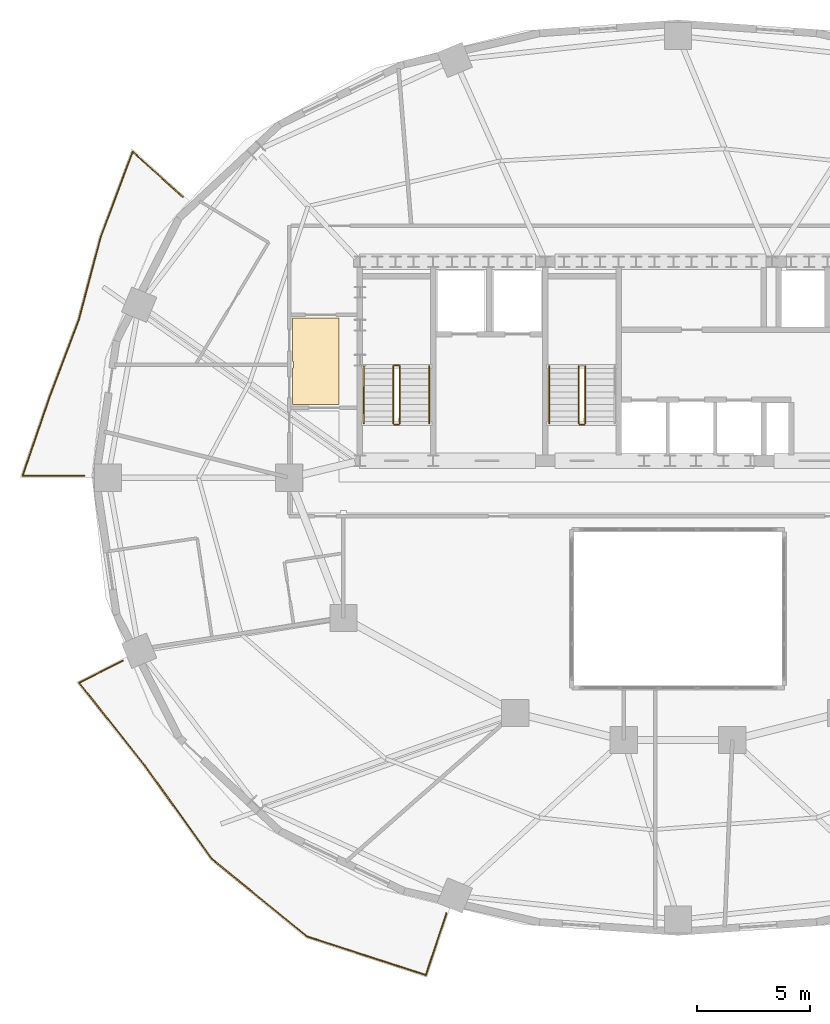
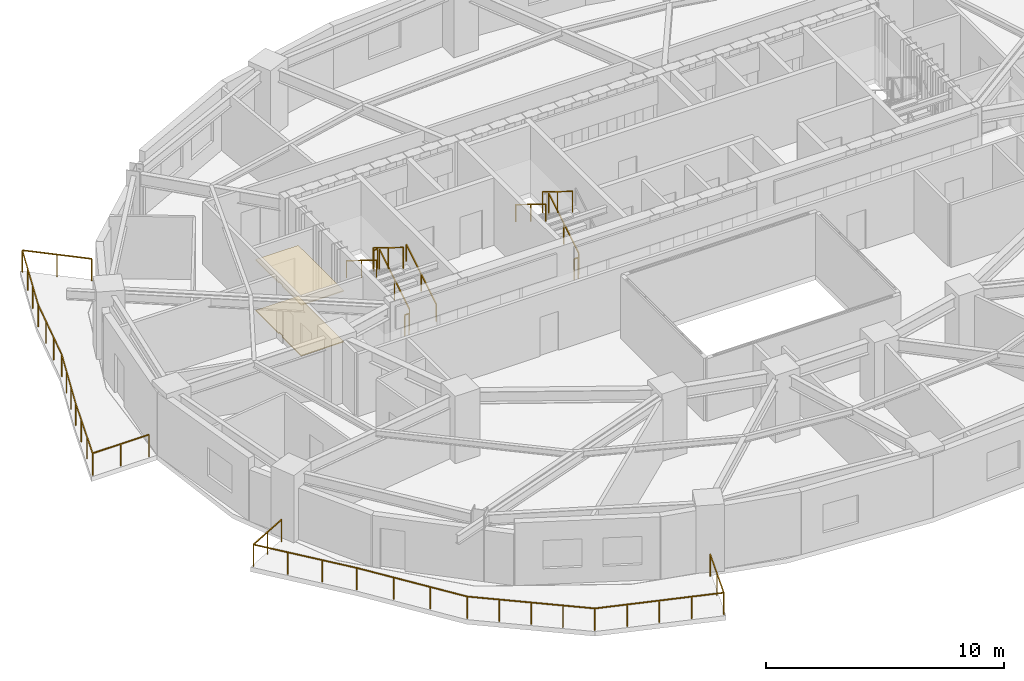
# One storey, part 10 of 12: 12 railings, 2 coverings.
"""IFC4 building model written with IfcOpenShell, lengths in metres."""

from ifc_helpers import new_model, si_unit, direction, frame, origin, origin_2d, place, context, subcontext, project, spatial, polyline, rectangle, outline, extrude, material, layer, layer_set, type_object, element, save


model = new_model("IFC4")

# Units and contexts
model_context = context("Model", 3, precision=1e-05, world=origin(), true_north=direction((0.0, 1.0)))
body_context = subcontext(model_context, "Body", "Model", "MODEL_VIEW")
ifc_project = project(units=[si_unit("LENGTHUNIT", "METRE"), si_unit("AREAUNIT", "SQUARE_METRE"), si_unit("VOLUMEUNIT", "CUBIC_METRE"), si_unit("PLANEANGLEUNIT", "RADIAN"), si_unit("MASSUNIT", "GRAM", prefix="KILO")], contexts=[model_context])

# Site, building, storey
site_placement = place(None, origin())
site = spatial("IfcSite", under=ifc_project, at=site_placement, CompositionType="ELEMENT")
building_placement = place(site_placement, origin())
building = spatial("IfcBuilding", under=site, at=building_placement, Name="Haldorwick Loom Tower", CompositionType="ELEMENT")
storey_placement = place(building_placement, frame((0.0, 0.0, 161.35009765625)))
storey = spatial("IfcBuildingStorey", under=building, at=storey_placement, Name="L43", CompositionType="ELEMENT", Elevation=161.35009765625)

# Coverings
ifc_material_1 = material(Name="Mineral Fibre Acoustic Ceiling Tile")
ifc_layer_1 = layer(ifc_material_1, 0.054931640625, Name="Mineral Fibre Acoustic Ceiling Tile")
ifc_layer_set_1 = layer_set([ifc_layer_1], Name="Mineral Fibre Acoustic Ceiling Tile")
covering_type_1 = type_object("IfcCoveringType", Name="ARC-COV-CEIL2", PredefinedType="CEILING", material=ifc_layer_set_1)
covering_1_placement = place(storey_placement, frame((0.0, 0.0, 2.594970703125)))
element("IfcCovering", 1, at=covering_1_placement, inside=storey, type_object=covering_type_1, Name="L43 Acoustic Suspended Ceiling 2", PredefinedType="CEILING", context=body_context, shape_type="SweptSolid", body=[
    extrude(outline(polyline([(18.969970703125, 31.139892578125), (18.971923828125, 31.139892578125), (18.973876953125, 31.1396484375), (18.975830078125, 31.13916015625), (18.977783203125, 31.138427734375), (18.9794921875, 31.1376953125), (18.981201171875, 31.13671875), (18.982666015625, 31.135498046875), (18.984130859375, 31.134033203125), (18.985595703125, 31.1328125), (18.986572265625, 31.131103515625), (18.987548828125, 31.12939453125), (18.988525390625, 31.127685546875), (18.989013671875, 31.125732421875), (18.989501953125, 31.123779296875), (18.989990234375, 31.1220703125), (18.989990234375, 31.1201171875), (18.989990234375, 30.8798828125), (18.989990234375, 30.8779296875), (18.989501953125, 30.876220703125), (18.989013671875, 30.874267578125), (18.988525390625, 30.872314453125), (18.987548828125, 30.87060546875), (18.986572265625, 30.868896484375), (18.985595703125, 30.8671875), (18.984130859375, 30.865966796875), (18.982666015625, 30.864501953125), (18.981201171875, 30.86328125), (18.9794921875, 30.8623046875), (18.977783203125, 30.861572265625), (18.975830078125, 30.86083984375), (18.973876953125, 30.8603515625), (18.971923828125, 30.860107421875), (18.969970703125, 30.860107421875), (18.93994140625, 30.860107421875), (18.93994140625, 29.239990234375), (21.0, 29.239990234375), (21.0, 33.06005859375), (18.93994140625, 33.06005859375), (18.93994140625, 31.139892578125), (18.969970703125, 31.139892578125)])), origin(), (0.0, 0.0, 1.0), 0.054931640625),
])
ifc_material_2 = material(Name="Polished Aggregate Terrazzo Finish")
ifc_layer_2 = layer(ifc_material_2, 0.044921875, Name="Polished Aggregate Terrazzo Finish")
ifc_layer_set_2 = layer_set([ifc_layer_2], Name="Polished Aggregate Terrazzo Finish")
covering_type_2 = type_object("IfcCoveringType", Name="ARC-COV-FLOOR2", PredefinedType="FLOORING", material=ifc_layer_set_2)
covering_2_placement = place(storey_placement, origin())
element("IfcCovering", 2, at=covering_2_placement, inside=storey, type_object=covering_type_2, Name="L43 Floor Finish 2", PredefinedType="FLOORING", context=body_context, shape_type="SweptSolid", body=[
    extrude(outline(polyline([(18.969970703125, 31.139892578125), (18.971923828125, 31.139892578125), (18.973876953125, 31.1396484375), (18.975830078125, 31.13916015625), (18.977783203125, 31.138427734375), (18.9794921875, 31.1376953125), (18.981201171875, 31.13671875), (18.982666015625, 31.135498046875), (18.984130859375, 31.134033203125), (18.985595703125, 31.1328125), (18.986572265625, 31.131103515625), (18.987548828125, 31.12939453125), (18.988525390625, 31.127685546875), (18.989013671875, 31.125732421875), (18.989501953125, 31.123779296875), (18.989990234375, 31.1220703125), (18.989990234375, 31.1201171875), (18.989990234375, 30.8798828125), (18.989990234375, 30.8779296875), (18.989501953125, 30.876220703125), (18.989013671875, 30.874267578125), (18.988525390625, 30.872314453125), (18.987548828125, 30.87060546875), (18.986572265625, 30.868896484375), (18.985595703125, 30.8671875), (18.984130859375, 30.865966796875), (18.982666015625, 30.864501953125), (18.981201171875, 30.86328125), (18.9794921875, 30.8623046875), (18.977783203125, 30.861572265625), (18.975830078125, 30.86083984375), (18.973876953125, 30.8603515625), (18.971923828125, 30.860107421875), (18.969970703125, 30.860107421875), (18.93994140625, 30.860107421875), (18.93994140625, 29.239990234375), (21.0, 29.239990234375), (21.0, 33.06005859375), (18.93994140625, 33.06005859375), (18.93994140625, 31.139892578125), (18.969970703125, 31.139892578125)])), origin(), (0.0, 0.0, 1.0), 0.044921875),
])

# Railings
ifc_material_3 = material(Name="Galvanized Steel CSA G40.21 350W", Category="steel")
railing_type_1 = type_object("IfcRailingType", Name="ARC-RLG-BAL115", PredefinedType="BALUSTRADE", material=ifc_material_3)
railing_1_placement = place(storey_placement, frame((25.756591796875, 6.728515625, 0.0)))
element("IfcRailing", 3, at=railing_1_placement, inside=storey, type_object=railing_type_1, Name="L43 Outdoor Terrace Guardrail SLB-L43-BAL_SW-1", PredefinedType="BALUSTRADE", context=body_context, shape_type="SweptSolid", body=[
    extrude(rectangle(XDim=0.048095703125, YDim=0.048095703125, at=origin_2d()), frame((0.0, 0.0, 1.1259765625), z_axis=(-0.316839129374, -0.948479291338, 0.0), x_axis=(0.948479291338, -0.316839129374, 0.0)), (0.0, 0.0, 1.0), 2.875),
    extrude(rectangle(XDim=0.048095703125, YDim=0.048095703125, at=origin_2d()), frame((-0.910888671875, -2.726806640625, 1.1259765625), z_axis=(-0.951073621426, 0.308964345236, 0.0), x_axis=(-0.308964345236, -0.951073621426, 0.0)), (0.0, 0.0, 1.0), 5.532958984375),
    extrude(rectangle(XDim=0.048095703125, YDim=0.048095703125, at=origin_2d()), frame((-6.173095703125, -1.017333984375, 1.1259765625), z_axis=(-0.774794820107, 0.632212770145, 0.0), x_axis=(-0.632212770145, -0.774794820107, 0.0)), (0.0, 0.0, 1.0), 5.424560546875),
    extrude(rectangle(XDim=0.048095703125, YDim=0.048095703125, at=origin_2d()), frame((-10.3759765625, 2.412109375, 1.1259765625), z_axis=(-0.583373132525, 0.812204277413, 0.0), x_axis=(-0.812204277413, -0.583373132525, 0.0)), (0.0, 0.0, 1.0), 5.090087890625),
    extrude(rectangle(XDim=0.048095703125, YDim=0.048095703125, at=origin_2d()), frame((-13.345458984375, 6.54638671875, 1.1259765625), z_axis=(-0.60971076085, 0.792623989105, 0.0), x_axis=(-0.792623989105, -0.60971076085, 0.0)), (0.0, 0.0, 1.0), 0.00390625),
    extrude(rectangle(XDim=0.048095703125, YDim=0.048095703125, at=origin_2d()), frame((-13.347900390625, 6.549560546875, 1.1259765625), z_axis=(-0.621986182745, 0.783028216908, 0.0), x_axis=(-0.783028216908, -0.621986182745, 0.0)), (0.0, 0.0, 1.0), 4.65576171875),
    extrude(rectangle(XDim=0.048095703125, YDim=0.048095703125, at=origin_2d()), frame((-16.24365234375, 10.195068359375, 1.1259765625), z_axis=(0.890002219109, 0.45595619305, 0.0), x_axis=(-0.45595619305, 0.890002219109, 0.0)), (0.0, 0.0, 1.0), 2.1728515625),
    extrude(rectangle(XDim=0.0419921875, YDim=0.0419921875, at=origin_2d()), origin(), (0.0, 0.0, 1.0), 1.101806640625),
    extrude(rectangle(XDim=0.0419921875, YDim=0.0419921875, at=origin_2d()), frame((-0.45556640625, -1.36328125, 0.0)), (0.0, 0.0, 1.0), 1.101806640625),
    extrude(rectangle(XDim=0.0419921875, YDim=0.0419921875, at=origin_2d()), frame((-0.910888671875, -2.726806640625, 0.0)), (0.0, 0.0, 1.0), 1.101806640625),
    extrude(rectangle(XDim=0.0419921875, YDim=0.0419921875, at=origin_2d()), frame((-2.2265625, -2.29931640625, 0.0)), (0.0, 0.0, 1.0), 1.101806640625),
    extrude(rectangle(XDim=0.0419921875, YDim=0.0419921875, at=origin_2d()), frame((-3.5419921875, -1.8720703125, 0.0)), (0.0, 0.0, 1.0), 1.101806640625),
    extrude(rectangle(XDim=0.0419921875, YDim=0.0419921875, at=origin_2d()), frame((-4.857421875, -1.44482421875, 0.0)), (0.0, 0.0, 1.0), 1.101806640625),
    extrude(rectangle(XDim=0.0419921875, YDim=0.0419921875, at=origin_2d()), frame((-6.173095703125, -1.017333984375, 0.0)), (0.0, 0.0, 1.0), 1.101806640625),
    extrude(rectangle(XDim=0.0419921875, YDim=0.0419921875, at=origin_2d()), frame((-7.223876953125, -0.159912109375, 0.0)), (0.0, 0.0, 1.0), 1.101806640625),
    extrude(rectangle(XDim=0.0419921875, YDim=0.0419921875, at=origin_2d()), frame((-8.2744140625, 0.697265625, 0.0)), (0.0, 0.0, 1.0), 1.101806640625),
    extrude(rectangle(XDim=0.0419921875, YDim=0.0419921875, at=origin_2d()), frame((-9.3251953125, 1.5546875, 0.0)), (0.0, 0.0, 1.0), 1.101806640625),
    extrude(rectangle(XDim=0.0419921875, YDim=0.0419921875, at=origin_2d()), frame((-10.3759765625, 2.412109375, 0.0)), (0.0, 0.0, 1.0), 1.101806640625),
    extrude(rectangle(XDim=0.0419921875, YDim=0.0419921875, at=origin_2d()), frame((-11.36572265625, 3.790283203125, 0.0)), (0.0, 0.0, 1.0), 1.101806640625),
    extrude(rectangle(XDim=0.0419921875, YDim=0.0419921875, at=origin_2d()), frame((-12.355712890625, 5.168212890625, 0.0)), (0.0, 0.0, 1.0), 1.101806640625),
    extrude(rectangle(XDim=0.0419921875, YDim=0.0419921875, at=origin_2d()), frame((-13.345458984375, 6.54638671875, 0.0)), (0.0, 0.0, 1.0), 1.101806640625),
    extrude(rectangle(XDim=0.0419921875, YDim=0.0419921875, at=origin_2d()), frame((-14.313232421875, 7.7646484375, 0.0)), (0.0, 0.0, 1.0), 1.101806640625),
    extrude(rectangle(XDim=0.0419921875, YDim=0.0419921875, at=origin_2d()), frame((-15.2783203125, 8.97998046875, 0.0)), (0.0, 0.0, 1.0), 1.101806640625),
    extrude(rectangle(XDim=0.0419921875, YDim=0.0419921875, at=origin_2d()), frame((-16.24365234375, 10.195068359375, 0.0)), (0.0, 0.0, 1.0), 1.101806640625),
    extrude(rectangle(XDim=0.0419921875, YDim=0.0419921875, at=origin_2d()), frame((-15.27685546875, 10.6904296875, 0.0)), (0.0, 0.0, 1.0), 1.101806640625),
    extrude(rectangle(XDim=0.0419921875, YDim=0.0419921875, at=origin_2d()), frame((-14.309814453125, 11.185791015625, 0.0)), (0.0, 0.0, 1.0), 1.101806640625),
])
railing_2_placement = place(storey_placement, frame((9.73974609375, 26.080078125, 0.0)))
element("IfcRailing", 4, at=railing_2_placement, inside=storey, type_object=railing_type_1, Name="L43 Outdoor Terrace Guardrail SLB-L43-BAL_WNW-1", PredefinedType="BALUSTRADE", context=body_context, shape_type="SweptSolid", body=[
    extrude(rectangle(XDim=0.048095703125, YDim=0.048095703125, at=origin_2d()), frame((0.0, 0.0, 1.1259765625), z_axis=(-1.0, 0.0, 0.0), x_axis=(0.0, -1.0, 0.0)), (0.0, 0.0, 1.0), 2.733154296875),
    extrude(rectangle(XDim=0.048095703125, YDim=0.048095703125, at=origin_2d()), frame((-2.733154296875, 0.0, 1.1259765625), z_axis=(0.324877543995, 0.945756089807, 0.0), x_axis=(-0.945756089807, 0.324877543995, 0.0)), (0.0, 0.0, 1.0), 3.711669921875),
    extrude(rectangle(XDim=0.048095703125, YDim=0.048095703125, at=origin_2d()), frame((-1.52734375, 3.51025390625, 1.1259765625), z_axis=(0.354053402924, 0.935225207037, 0.0), x_axis=(-0.935225207037, 0.354053402924, 0.0)), (0.0, 0.0, 1.0), 3.614013671875),
    extrude(rectangle(XDim=0.048095703125, YDim=0.048095703125, at=origin_2d()), frame((-0.247802734375, 6.89013671875, 1.1259765625), z_axis=(0.307002779923, 0.951708617761, 0.0), x_axis=(-0.951708617761, 0.307002779923, 0.0)), (0.0, 0.0, 1.0), 0.008056640625),
    extrude(rectangle(XDim=0.048095703125, YDim=0.048095703125, at=origin_2d()), frame((-0.245361328125, 6.897705078125, 1.1259765625), z_axis=(0.255651532223, 0.966768997265, 0.0), x_axis=(-0.966768997265, 0.255651532223, 0.0)), (0.0, 0.0, 1.0), 3.786376953125),
    extrude(rectangle(XDim=0.048095703125, YDim=0.048095703125, at=origin_2d()), frame((0.72265625, 10.558349609375, 1.1259765625), z_axis=(0.350917888404, 0.93640623428, 0.0), x_axis=(-0.93640623428, 0.350917888404, 0.0)), (0.0, 0.0, 1.0), 4.03515625),
    extrude(rectangle(XDim=0.048095703125, YDim=0.048095703125, at=origin_2d()), frame((2.138671875, 14.3369140625, 1.1259765625), z_axis=(0.741694932885, -0.670737375232, 0.0), x_axis=(0.670737375232, 0.741694932885, 0.0)), (0.0, 0.0, 1.0), 2.9794921875),
    extrude(rectangle(XDim=0.0419921875, YDim=0.0419921875, at=origin_2d()), origin(), (0.0, 0.0, 1.0), 1.101806640625),
    extrude(rectangle(XDim=0.0419921875, YDim=0.0419921875, at=origin_2d()), frame((-1.36669921875, 0.0, 0.0)), (0.0, 0.0, 1.0), 1.101806640625),
    extrude(rectangle(XDim=0.0419921875, YDim=0.0419921875, at=origin_2d()), frame((-2.733154296875, 0.0, 0.0)), (0.0, 0.0, 1.0), 1.101806640625),
    extrude(rectangle(XDim=0.0419921875, YDim=0.0419921875, at=origin_2d()), frame((-2.331298828125, 1.170166015625, 0.0)), (0.0, 0.0, 1.0), 1.101806640625),
    extrude(rectangle(XDim=0.0419921875, YDim=0.0419921875, at=origin_2d()), frame((-1.92919921875, 2.340087890625, 0.0)), (0.0, 0.0, 1.0), 1.101806640625),
    extrude(rectangle(XDim=0.0419921875, YDim=0.0419921875, at=origin_2d()), frame((-1.52734375, 3.51025390625, 0.0)), (0.0, 0.0, 1.0), 1.101806640625),
    extrude(rectangle(XDim=0.0419921875, YDim=0.0419921875, at=origin_2d()), frame((-1.100830078125, 4.636962890625, 0.0)), (0.0, 0.0, 1.0), 1.101806640625),
    extrude(rectangle(XDim=0.0419921875, YDim=0.0419921875, at=origin_2d()), frame((-0.67431640625, 5.763427734375, 0.0)), (0.0, 0.0, 1.0), 1.101806640625),
    extrude(rectangle(XDim=0.0419921875, YDim=0.0419921875, at=origin_2d()), frame((-0.247802734375, 6.89013671875, 0.0)), (0.0, 0.0, 1.0), 1.101806640625),
    extrude(rectangle(XDim=0.0419921875, YDim=0.0419921875, at=origin_2d()), frame((0.077392578125, 8.117919921875, 0.0)), (0.0, 0.0, 1.0), 1.101806640625),
    extrude(rectangle(XDim=0.0419921875, YDim=0.0419921875, at=origin_2d()), frame((0.39990234375, 9.338134765625, 0.0)), (0.0, 0.0, 1.0), 1.101806640625),
    extrude(rectangle(XDim=0.0419921875, YDim=0.0419921875, at=origin_2d()), frame((0.72265625, 10.558349609375, 0.0)), (0.0, 0.0, 1.0), 1.101806640625),
    extrude(rectangle(XDim=0.0419921875, YDim=0.0419921875, at=origin_2d()), frame((1.194580078125, 11.81787109375, 0.0)), (0.0, 0.0, 1.0), 1.101806640625),
    extrude(rectangle(XDim=0.0419921875, YDim=0.0419921875, at=origin_2d()), frame((1.666748046875, 13.077392578125, 0.0)), (0.0, 0.0, 1.0), 1.101806640625),
    extrude(rectangle(XDim=0.0419921875, YDim=0.0419921875, at=origin_2d()), frame((2.138671875, 14.3369140625, 0.0)), (0.0, 0.0, 1.0), 1.101806640625),
    extrude(rectangle(XDim=0.0419921875, YDim=0.0419921875, at=origin_2d()), frame((3.24365234375, 13.337646484375, 0.0)), (0.0, 0.0, 1.0), 1.101806640625),
    extrude(rectangle(XDim=0.0419921875, YDim=0.0419921875, at=origin_2d()), frame((4.3486328125, 12.33837890625, 0.0)), (0.0, 0.0, 1.0), 1.101806640625),
])
ifc_material_4 = material(Name="Steel CSA G40.21 350W", Category="steel")
railing_type_2 = type_object("IfcRailingType", Name="ARC-RLG-GUARD112", PredefinedType="GUARDRAIL", material=ifc_material_4)
railing_3_placement = place(storey_placement, frame((23.699951171875, 28.39990234375, 0.17236328125)))
element("IfcRailing", 5, at=railing_3_placement, inside=storey, type_object=railing_type_2, Name="L43 ST-01 stair guard 1", PredefinedType="GUARDRAIL", context=body_context, shape_type="SweptSolid", body=[
    extrude(rectangle(XDim=0.048095703125, YDim=0.048095703125, at=origin_2d()), frame((0.0, 0.0, 1.076171875), z_axis=(0.0, 0.851400495292, 0.524516154772), x_axis=(-1.0, 0.0, 0.0)), (0.0, 0.0, 1.0), 2.9599609375),
    extrude(rectangle(XDim=0.0419921875, YDim=0.0419921875, at=origin_2d()), origin(), (0.0, 0.0, 1.0), 1.052001953125),
    extrude(rectangle(XDim=0.0419921875, YDim=0.0419921875, at=origin_2d()), frame((0.0, 1.260009765625, 0.7763671875)), (0.0, 0.0, 1.0), 1.052001953125),
    extrude(rectangle(XDim=0.0419921875, YDim=0.0419921875, at=origin_2d()), frame((0.0, 2.52001953125, 1.552490234375)), (0.0, 0.0, 1.0), 1.052001953125),
])
railing_4_placement = place(storey_placement, frame((23.64990234375, 30.969970703125, 1.724853515625)))
element("IfcRailing", 6, at=railing_4_placement, inside=storey, type_object=railing_type_2, Name="L43 ST-01 stair guard 2", PredefinedType="GUARDRAIL", context=body_context, shape_type="SweptSolid", body=[
    extrude(rectangle(XDim=0.048095703125, YDim=0.048095703125, at=origin_2d()), frame((0.0, 0.0, 1.076171875), z_axis=(-1.0, 0.0, 0.0), x_axis=(0.0, -1.0, 0.0)), (0.0, 0.0, 1.0), 0.199951171875),
    extrude(rectangle(XDim=0.0419921875, YDim=0.0419921875, at=origin_2d()), origin(), (0.0, 0.0, 1.0), 1.052001953125),
    extrude(rectangle(XDim=0.0419921875, YDim=0.0419921875, at=origin_2d()), frame((-0.199951171875, 0.0, 0.0)), (0.0, 0.0, 1.0), 1.052001953125),
])
railing_5_placement = place(storey_placement, frame((23.39990234375, 30.919921875, 1.8974609375)))
element("IfcRailing", 7, at=railing_5_placement, inside=storey, type_object=railing_type_2, Name="L43 ST-01 stair guard 3", PredefinedType="GUARDRAIL", context=body_context, shape_type="SweptSolid", body=[
    extrude(rectangle(XDim=0.048095703125, YDim=0.048095703125, at=origin_2d()), frame((0.0, 0.0, 1.076171875), z_axis=(0.0, -0.851400495292, 0.524516154772), x_axis=(1.0, 0.0, 0.0)), (0.0, 0.0, 1.0), 2.9599609375),
    extrude(rectangle(XDim=0.0419921875, YDim=0.0419921875, at=origin_2d()), origin(), (0.0, 0.0, 1.0), 1.052001953125),
    extrude(rectangle(XDim=0.0419921875, YDim=0.0419921875, at=origin_2d()), frame((0.0, -1.260009765625, 0.7763671875)), (0.0, 0.0, 1.0), 1.052001953125),
    extrude(rectangle(XDim=0.0419921875, YDim=0.0419921875, at=origin_2d()), frame((0.0, -2.52001953125, 1.552490234375)), (0.0, 0.0, 1.0), 1.052001953125),
])
railing_6_placement = place(storey_placement, frame((23.64990234375, 28.35009765625, 0.0)))
element("IfcRailing", 8, at=railing_6_placement, inside=storey, type_object=railing_type_2, Name="L43 ST-01 stair guard 4", PredefinedType="GUARDRAIL", context=body_context, shape_type="SweptSolid", body=[
    extrude(rectangle(XDim=0.048095703125, YDim=0.048095703125, at=origin_2d()), frame((0.0, 0.0, 1.076171875), z_axis=(-1.0, 0.0, 0.0), x_axis=(0.0, -1.0, 0.0)), (0.0, 0.0, 1.0), 0.199951171875),
    extrude(rectangle(XDim=0.0419921875, YDim=0.0419921875, at=origin_2d()), origin(), (0.0, 0.0, 1.0), 1.052001953125),
    extrude(rectangle(XDim=0.0419921875, YDim=0.0419921875, at=origin_2d()), frame((-0.199951171875, 0.0, 0.0)), (0.0, 0.0, 1.0), 1.052001953125),
])
railing_7_placement = place(storey_placement, frame((31.89990234375, 28.39990234375, 0.17236328125)))
element("IfcRailing", 9, at=railing_7_placement, inside=storey, type_object=railing_type_2, Name="L43 ST-03 stair guard 1", PredefinedType="GUARDRAIL", context=body_context, shape_type="SweptSolid", body=[
    extrude(rectangle(XDim=0.048095703125, YDim=0.048095703125, at=origin_2d()), frame((0.0, 0.0, 1.076171875), z_axis=(0.0, 0.851400495292, 0.524516154772), x_axis=(-1.0, 0.0, 0.0)), (0.0, 0.0, 1.0), 2.9599609375),
    extrude(rectangle(XDim=0.0419921875, YDim=0.0419921875, at=origin_2d()), origin(), (0.0, 0.0, 1.0), 1.052001953125),
    extrude(rectangle(XDim=0.0419921875, YDim=0.0419921875, at=origin_2d()), frame((0.0, 1.260009765625, 0.7763671875)), (0.0, 0.0, 1.0), 1.052001953125),
    extrude(rectangle(XDim=0.0419921875, YDim=0.0419921875, at=origin_2d()), frame((0.0, 2.52001953125, 1.552490234375)), (0.0, 0.0, 1.0), 1.052001953125),
])
railing_8_placement = place(storey_placement, frame((31.60009765625, 30.919921875, 1.8974609375)))
element("IfcRailing", 10, at=railing_8_placement, inside=storey, type_object=railing_type_2, Name="L43 ST-03 stair guard 3", PredefinedType="GUARDRAIL", context=body_context, shape_type="SweptSolid", body=[
    extrude(rectangle(XDim=0.048095703125, YDim=0.048095703125, at=origin_2d()), frame((0.0, 0.0, 1.076171875), z_axis=(0.0, -0.851400495292, 0.524516154772), x_axis=(1.0, 0.0, 0.0)), (0.0, 0.0, 1.0), 2.9599609375),
    extrude(rectangle(XDim=0.0419921875, YDim=0.0419921875, at=origin_2d()), origin(), (0.0, 0.0, 1.0), 1.052001953125),
    extrude(rectangle(XDim=0.0419921875, YDim=0.0419921875, at=origin_2d()), frame((0.0, -1.260009765625, 0.7763671875)), (0.0, 0.0, 1.0), 1.052001953125),
    extrude(rectangle(XDim=0.0419921875, YDim=0.0419921875, at=origin_2d()), frame((0.0, -2.52001953125, 1.552490234375)), (0.0, 0.0, 1.0), 1.052001953125),
])
railing_9_placement = place(storey_placement, frame((31.85009765625, 28.35009765625, 0.0)))
element("IfcRailing", 11, at=railing_9_placement, inside=storey, type_object=railing_type_2, Name="L43 ST-03 stair guard 4", PredefinedType="GUARDRAIL", context=body_context, shape_type="SweptSolid", body=[
    extrude(rectangle(XDim=0.048095703125, YDim=0.048095703125, at=origin_2d()), frame((0.0, 0.0, 1.076171875), z_axis=(-1.0, 0.0, 0.0), x_axis=(0.0, -1.0, 0.0)), (0.0, 0.0, 1.0), 0.2001953125),
    extrude(rectangle(XDim=0.0419921875, YDim=0.0419921875, at=origin_2d()), origin(), (0.0, 0.0, 1.0), 1.052001953125),
    extrude(rectangle(XDim=0.0419921875, YDim=0.0419921875, at=origin_2d()), frame((-0.2001953125, 0.0, 0.0)), (0.0, 0.0, 1.0), 1.052001953125),
])
railing_type_3 = type_object("IfcRailingType", Name="ARC-RLG-HAND092", PredefinedType="HANDRAIL", material=ifc_material_4)
railing_10_placement = place(storey_placement, frame((25.0, 28.39990234375, 0.17236328125)))
element("IfcRailing", 12, at=railing_10_placement, inside=storey, type_object=railing_type_3, Name="L43 ST-01 stair handrail 1", PredefinedType="HANDRAIL", context=body_context, shape_type="SweptSolid", body=[
    extrude(rectangle(XDim=0.048095703125, YDim=0.048095703125, at=origin_2d()), frame((0.0, 0.0, 0.8759765625), z_axis=(0.0, 0.851400495292, 0.524516154772), x_axis=(-1.0, 0.0, 0.0)), (0.0, 0.0, 1.0), 2.9599609375),
    extrude(rectangle(XDim=0.0419921875, YDim=0.0419921875, at=origin_2d()), origin(), (0.0, 0.0, 1.0), 0.851806640625),
    extrude(rectangle(XDim=0.0419921875, YDim=0.0419921875, at=origin_2d()), frame((0.0, 1.260009765625, 0.7763671875)), (0.0, 0.0, 1.0), 0.851806640625),
    extrude(rectangle(XDim=0.0419921875, YDim=0.0419921875, at=origin_2d()), frame((0.0, 2.52001953125, 1.552490234375)), (0.0, 0.0, 1.0), 0.851806640625),
])
for number, where, name in (
    (13, (22.10009765625, 30.919921875, 1.8974609375), "L43 ST-01 stair handrail 2"),
    (14, (30.300048828125, 30.919921875, 1.8974609375), "L43 ST-03 stair handrail 2"),
):
    element("IfcRailing", number, at=place(storey_placement, frame(where)), inside=storey, type_object=railing_type_3, Name=name, PredefinedType="HANDRAIL", context=body_context, shape_type="SweptSolid", body=[
        extrude(rectangle(XDim=0.048095703125, YDim=0.048095703125, at=origin_2d()), frame((0.0, 0.0, 0.8759765625), z_axis=(0.0, -0.851400495292, 0.524516154772), x_axis=(1.0, 0.0, 0.0)), (0.0, 0.0, 1.0), 2.9599609375),
        extrude(rectangle(XDim=0.0419921875, YDim=0.0419921875, at=origin_2d()), origin(), (0.0, 0.0, 1.0), 0.851806640625),
        extrude(rectangle(XDim=0.0419921875, YDim=0.0419921875, at=origin_2d()), frame((0.0, -1.260009765625, 0.7763671875)), (0.0, 0.0, 1.0), 0.851806640625),
        extrude(rectangle(XDim=0.0419921875, YDim=0.0419921875, at=origin_2d()), frame((0.0, -2.52001953125, 1.552490234375)), (0.0, 0.0, 1.0), 0.851806640625),
    ])

save(model, "model.ifc")
